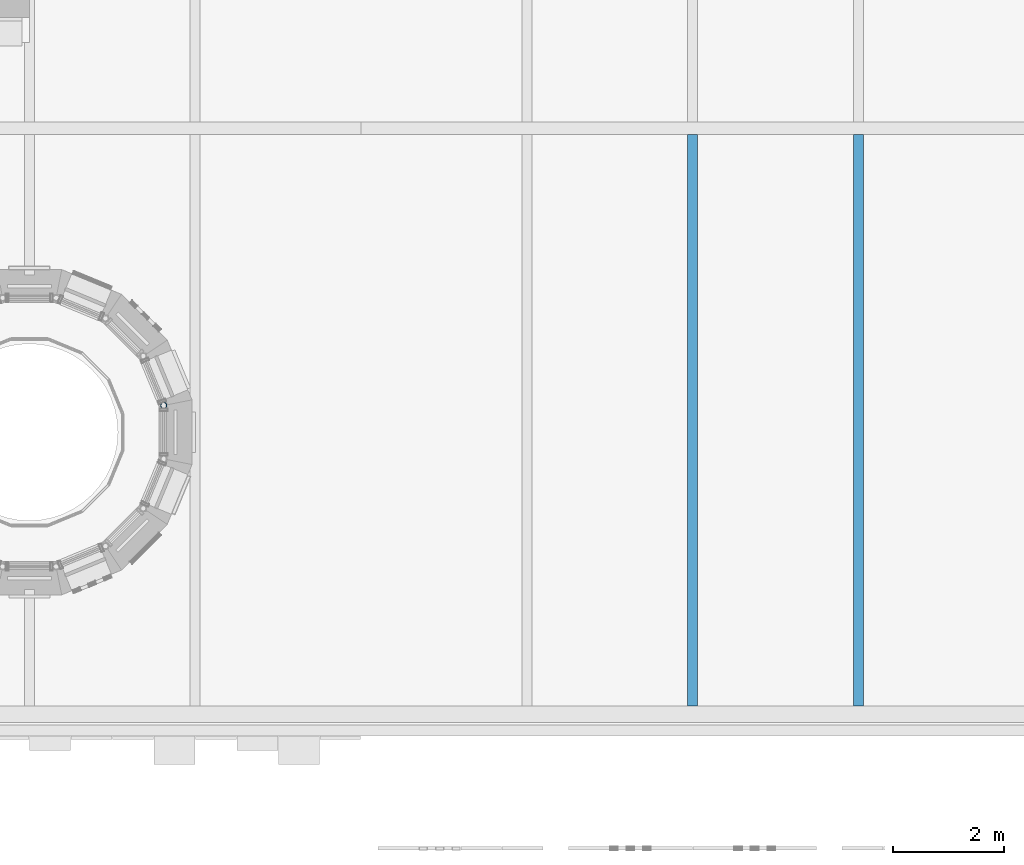
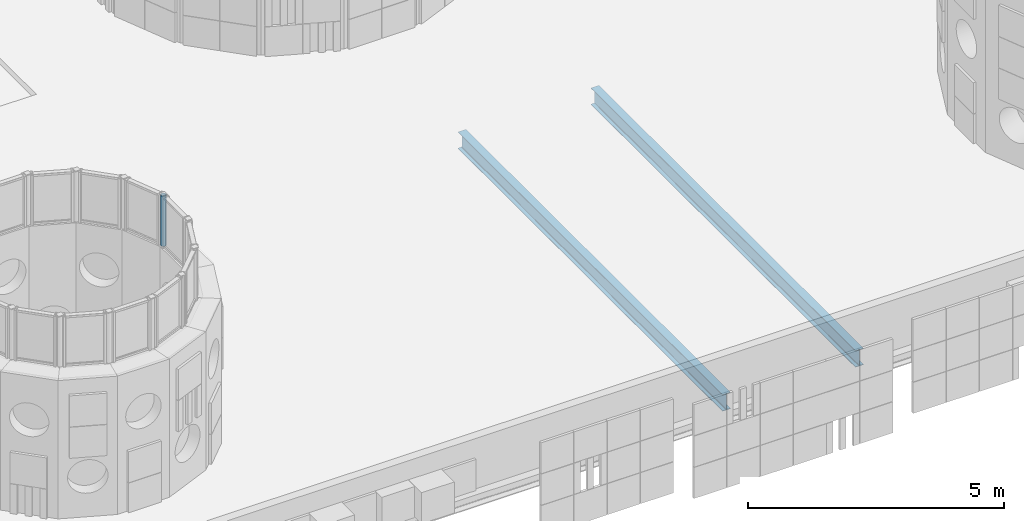
# One storey, part 7 of 98: 3 members.
"""IFC4 building model written with IfcOpenShell, lengths in metres."""

import ifcopenshell
import ifcopenshell.guid

model = None  # the IFC model being written
_history = None  # IfcOwnerHistory: only IFC2X3 demands one
_inside = {}  # id of a spatial element -> (the spatial element, [elements in it])
_under = {}  # id of a project, library or spatial element -> (it, [spatial elements below it])
_declared = {}  # id of a project -> (the project, [libraries it declares])
_typed = {}  # id of a type object -> (the type object, [elements of that type])
_made_of = {}  # id of a material, layer set ... -> (it, [elements and type objects made of it])


def new_model(schema):
    """Start an empty IFC model of exactly this schema.

    Asked for "IFC4X3", IfcOpenShell would pick the latest addendum, in which some entities
    have other attributes; the version numbers below select the first issue.
    IFC2X3 requires an IfcOwnerHistory on every rooted entity: one is made here for all.
    """
    global model, _history
    if schema == "IFC4X3":
        model = ifcopenshell.file(schema_version=(4, 3, 0, 0))
    else:
        model = ifcopenshell.file(schema=schema)
    _inside.clear()
    _under.clear()
    _declared.clear()
    _typed.clear()
    _made_of.clear()
    _history = None
    if model.schema == "IFC2X3":
        org = make("IfcOrganization", Name="unknown")
        user = make(
            "IfcPersonAndOrganization",
            ThePerson=make("IfcPerson", FamilyName="unknown"),
            TheOrganization=org,
        )
        app = make(
            "IfcApplication",
            ApplicationDeveloper=org,
            Version="unknown",
            ApplicationFullName="unknown",
            ApplicationIdentifier="unknown",
        )
        _history = make(
            "IfcOwnerHistory",
            OwningUser=user,
            OwningApplication=app,
            ChangeAction="ADDED",
            CreationDate=0,
        )
    return model


def make(cls, **values):
    """One entity of the class cls with the attributes given. An attribute that is None is left unset."""
    return model.create_entity(
        cls, **{name: value for name, value in values.items() if value is not None}
    )


def rooted(cls, **values):
    """An entity with a GlobalId (a new one), such as an element, a storey or a relation."""
    return make(cls, GlobalId=ifcopenshell.guid.new(), OwnerHistory=_history, **values)


def si_unit(unit_type, name, prefix=None):
    """IfcSIUnit, for example si_unit("LENGTHUNIT", "METRE", prefix="MILLI")."""
    return make("IfcSIUnit", UnitType=unit_type, Prefix=prefix, Name=name)


def assignment(units):
    """IfcUnitAssignment: the units of a project."""
    return None if units is None else make("IfcUnitAssignment", Units=units)


def point(xyz):
    """IfcCartesianPoint."""
    return None if xyz is None else make("IfcCartesianPoint", Coordinates=xyz)


def direction(xyz):
    """IfcDirection."""
    return None if xyz is None else make("IfcDirection", DirectionRatios=xyz)


def frame(location, z_axis=None, x_axis=None):
    """IfcAxis2Placement3D, a coordinate frame: its origin and axes. An axis left out is left unset."""
    return make(
        "IfcAxis2Placement3D",
        Location=point(location),
        Axis=direction(z_axis),
        RefDirection=direction(x_axis),
    )


def frame_2d(location, x_axis=None):
    """IfcAxis2Placement2D, a coordinate frame in the plane: its origin and x axis."""
    return make(
        "IfcAxis2Placement2D", Location=point(location), RefDirection=direction(x_axis)
    )


def origin():
    """The frame at (0, 0, 0) with its axes left unset."""
    return frame((0.0, 0.0, 0.0))


def origin_2d():
    """The frame at (0, 0) in the plane with its x axis left unset."""
    return frame_2d((0.0, 0.0))


def place(relative_to, where):
    """IfcLocalPlacement: puts the frame where relative to a parent placement (None: the world)."""
    return make(
        "IfcLocalPlacement", PlacementRelTo=relative_to, RelativePlacement=where
    )


def context(
    kind, dimensions, precision=None, world=None, true_north=None, identifier=None
):
    """IfcGeometricRepresentationContext, for example the 3D "Model" context."""
    return make(
        "IfcGeometricRepresentationContext",
        ContextIdentifier=identifier,
        ContextType=kind,
        CoordinateSpaceDimension=dimensions,
        Precision=precision,
        WorldCoordinateSystem=world,
        TrueNorth=true_north,
    )


def subcontext(parent, identifier, kind, view, scale=None):
    """IfcGeometricRepresentationSubContext, for example "Body" below "Model"."""
    return make(
        "IfcGeometricRepresentationSubContext",
        ContextIdentifier=identifier,
        ContextType=kind,
        ParentContext=parent,
        TargetScale=scale,
        TargetView=view,
    )


def project(units=None, contexts=None):
    """IfcProject with its units and contexts."""
    return rooted(
        "IfcProject",
        Name="project",
        RepresentationContexts=contexts,
        UnitsInContext=assignment(units),
    )


def spatial(cls, under=None, at=None, **own):
    """A site, building, storey or space (cls), placed at a placement, below another one or the project."""
    s = rooted(cls, ObjectPlacement=at, **own)
    if under is not None:
        _under.setdefault(under.id(), (under, []))[1].append(s)
    return s


def profile(cls, at=None, kind="AREA", **sizes):
    """A parametric profile (cls). Its sizes go by their IFC names, for example OverallWidth=200.0."""
    return make(cls, ProfileType=kind, Position=at, **sizes)


def hollow_circle(**sizes):
    """IfcCircleHollowProfileDef."""
    return profile("IfcCircleHollowProfileDef", **sizes)


def i_section(**sizes):
    """IfcIShapeProfileDef."""
    return profile("IfcIShapeProfileDef", **sizes)


def extrude(swept, where, along, depth):
    """IfcExtrudedAreaSolid: the profile swept, set in the frame where, extruded along a direction by depth."""
    return make(
        "IfcExtrudedAreaSolid",
        SweptArea=swept,
        Position=where,
        ExtrudedDirection=direction(along),
        Depth=depth,
    )


def shape(context_of_items, identifier, shape_type, items):
    """IfcShapeRepresentation: the items that make up one representation, for example the "Body"."""
    return make(
        "IfcShapeRepresentation",
        ContextOfItems=context_of_items,
        RepresentationIdentifier=identifier,
        RepresentationType=shape_type,
        Items=items,
    )


def material(Name=None, Category=None):
    """IfcMaterial."""
    return make("IfcMaterial", Name=Name, Category=Category)


def material_profile(
    of_material, cross_section, Name=None, Category=None, Priority=None
):
    """IfcMaterialProfile: a cross section and its material."""
    return make(
        "IfcMaterialProfile",
        Name=Name,
        Material=of_material,
        Profile=cross_section,
        Priority=Priority,
        Category=Category,
    )


def profile_set(profiles, Name=None, composite=None):
    """IfcMaterialProfileSet."""
    return make(
        "IfcMaterialProfileSet",
        Name=Name,
        MaterialProfiles=profiles,
        CompositeProfile=composite,
    )


def made_of(thing, what):
    """Note that an element or type object is made of a material, layer set ...; save() writes the relation."""
    if what is not None:
        _made_of.setdefault(what.id(), (what, []))[1].append(thing)
    return thing


def type_object(cls, material=None, **own):
    """A type object (cls), such as IfcWallType, which elements share."""
    return made_of(rooted(cls, **own), material)


def element(
    cls,
    number,
    at=None,
    inside=None,
    cuts=None,
    type_object=None,
    material=None,
    context=None,
    identifier="Body",
    shape_type=None,
    held_by="IfcProductDefinitionShape",
    body=None,
    shapes=None,
    **own,
):
    """One element of the class cls, such as IfcWall. Its Tag is "e" and its number.

    at: its placement. inside: the storey or other place that contains it. cuts: it is an
    opening in that element (IfcRelVoidsElement). A single representation is given by context,
    identifier, shape_type and body (its items); several are given by shapes. held_by: the class
    of the entity that holds the representations. save() writes the other relations.
    """
    e = rooted(cls, Tag="e%d" % number, ObjectPlacement=at, **own)
    if body is not None:
        shapes = [shape(context, identifier, shape_type, body)]
    if shapes is not None:
        e.Representation = make(held_by, Representations=shapes)
    if inside is not None:
        _inside.setdefault(inside.id(), (inside, []))[1].append(e)
    if cuts is not None:
        rooted(
            "IfcRelVoidsElement", RelatingBuildingElement=cuts, RelatedOpeningElement=e
        )
    if type_object is not None:
        _typed.setdefault(type_object.id(), (type_object, []))[1].append(e)
    return made_of(e, material)


def aggregate(whole, parts):
    """IfcRelAggregates: a whole, such as a stair, and the parts it consists of."""
    return rooted("IfcRelAggregates", RelatingObject=whole, RelatedObjects=parts)


def save(model, path):
    """Write the relations noted so far, then the file.

    IfcRelAggregates (storeys below a building ...), IfcRelContainedInSpatialStructure (elements
    in a storey), IfcRelDefinesByType, IfcRelAssociatesMaterial and IfcRelDeclares: one each for
    every whole, place, type object, material and project.
    """
    for whole, parts in _under.values():
        aggregate(whole, parts)
    for where, things in _inside.values():
        rooted(
            "IfcRelContainedInSpatialStructure",
            RelatedElements=things,
            RelatingStructure=where,
        )
    for kind, things in _typed.values():
        rooted("IfcRelDefinesByType", RelatedObjects=things, RelatingType=kind)
    for what, things in _made_of.values():
        rooted("IfcRelAssociatesMaterial", RelatedObjects=things, RelatingMaterial=what)
    for by, libraries in _declared.values():
        rooted("IfcRelDeclares", RelatingContext=by, RelatedDefinitions=libraries)
    model.write(path)


model = new_model("IFC4")

# Units and contexts
model_context = context("Model", 3, precision=1e-05, world=origin(), true_north=direction((0.0, 1.0)))
body_context = subcontext(model_context, "Body", "Model", "MODEL_VIEW")
ifc_project = project(units=[si_unit("LENGTHUNIT", "METRE"), si_unit("AREAUNIT", "SQUARE_METRE"), si_unit("VOLUMEUNIT", "CUBIC_METRE"), si_unit("PLANEANGLEUNIT", "RADIAN"), si_unit("MASSUNIT", "GRAM", prefix="KILO")], contexts=[model_context])

# Site, building, storey
site_placement = place(None, origin())
site = spatial("IfcSite", under=ifc_project, at=site_placement, CompositionType="ELEMENT")
building_placement = place(site_placement, origin())
building = spatial("IfcBuilding", under=site, at=building_placement, Name="Sun Court Science Centre", CompositionType="ELEMENT")
storey_placement = place(building_placement, frame((0.0, 0.0, 15.75)))
storey = spatial("IfcBuildingStorey", under=building, at=storey_placement, Name="L03", CompositionType="ELEMENT", Elevation=15.75)

# Members
ifc_material_1 = material(Name="Steel S355", Category="steel")
ifc_material_profile_1 = material_profile(ifc_material_1, hollow_circle(Radius=0.05712890625, WallThickness=0.00634765625, at=origin_2d()), Name="CHS 114.3x6.3")
ifc_profile_set_1 = profile_set([ifc_material_profile_1], Name="Steel S355")
member_type_1 = type_object("IfcMemberType", Name="Lantern post CHS 114.3x6.3", PredefinedType="POST", material=ifc_profile_set_1)
member_placement = place(storey_placement, frame((32.4306640625, 11.9833984375, 3.449951171875), z_axis=(0.0, 0.0, 1.0), x_axis=(1.0, 0.0, 0.0)))
element("IfcMember", 1, at=member_placement, inside=storey, type_object=member_type_1, Name="Cone 3 clerestory post 1", PredefinedType="POST", context=body_context, shape_type="SweptSolid", body=[
    extrude(hollow_circle(Radius=0.05712890625, WallThickness=0.00634765625, at=origin_2d()), origin(), (0.0, 0.0, 1.0), 1.199951171875),
])
ifc_material_2 = material(Name="Steel S275", Category="steel")
ifc_material_profile_2 = material_profile(ifc_material_2, i_section(OverallWidth=0.179931640625, OverallDepth=0.39990234375, WebThickness=0.008544921875, FlangeThickness=0.013427734375, FilletRadius=0.02099609375, at=origin_2d()), Name="IPE 400")
ifc_profile_set_2 = profile_set([ifc_material_profile_2], Name="Steel S275")
member_type_2 = type_object("IfcMemberType", Name="Roof purlin IPE 400", PredefinedType="PURLIN", material=ifc_profile_set_2)
for number, where, z_axis, x_axis, name in (
    (2, (42.0, 6.550048828125, -0.35009765625), (0.0, 1.0, 0.0), (-1.0, 0.0, 0.0), "Roof purlin"),
    (3, (45.0, 6.550048828125, -0.35009765625), (0.0, 1.0, 0.0), (-1.0, 0.0, 0.0), "Roof purlin"),
):
    element("IfcMember", number, at=place(storey_placement, frame(where, z_axis=z_axis, x_axis=x_axis)), inside=storey, type_object=member_type_2, Name=name, PredefinedType="PURLIN", context=body_context, shape_type="SweptSolid", body=[
        extrude(i_section(OverallWidth=0.179931640625, OverallDepth=0.39990234375, WebThickness=0.008544921875, FlangeThickness=0.013427734375, FilletRadius=0.02099609375, at=origin_2d()), origin(), (0.0, 0.0, 1.0), 10.33984375),
    ])

save(model, "model.ifc")
